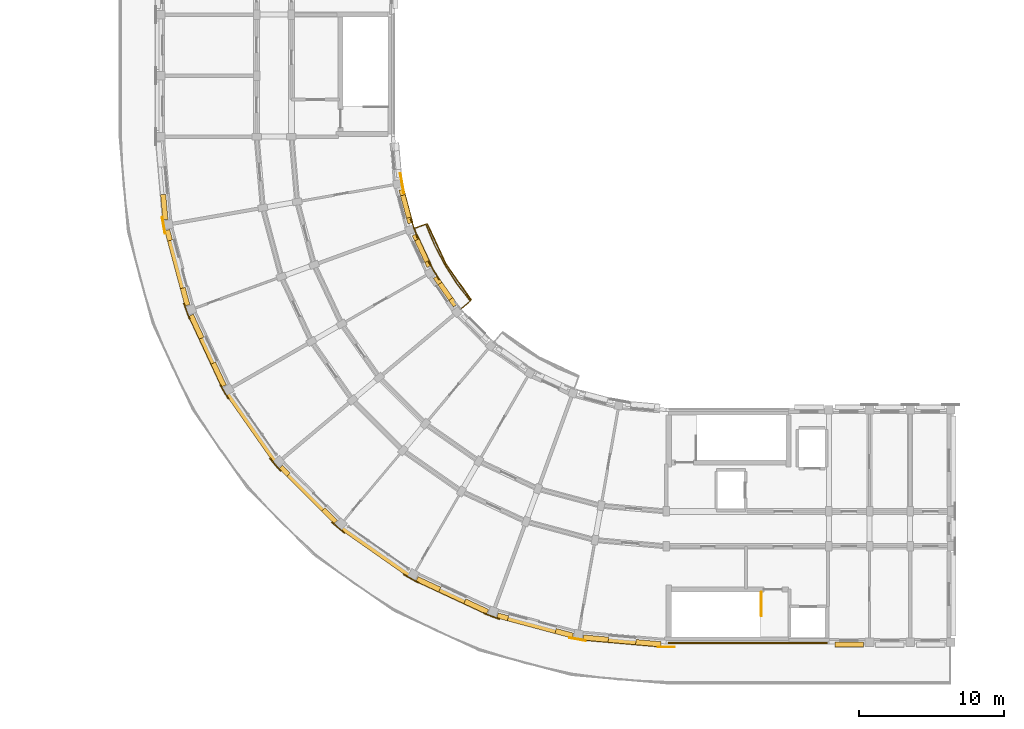
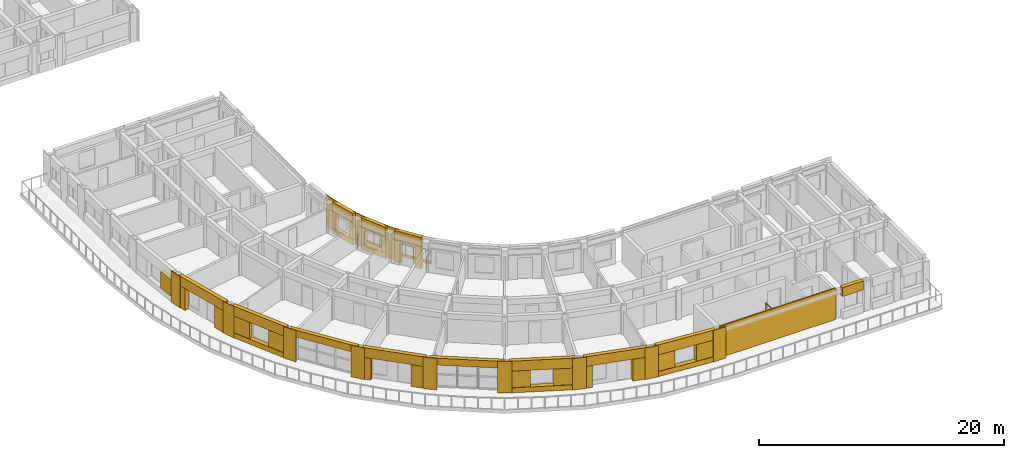
# One storey, part 36 of 53: 50 coverings, 2 railings.
"""IFC4 building model written with IfcOpenShell, lengths in metres."""

from ifc_helpers import new_model, si_unit, direction, frame, origin, origin_2d, place, context, subcontext, project, spatial, polyline, circle, outline, extrude, material, layer, layer_set, type_object, element, save


model = new_model("IFC4")

# Units and contexts
model_context = context("Model", 3, precision=1e-05, world=origin(), true_north=direction((0.0, 1.0)))
body_context = subcontext(model_context, "Body", "Model", "MODEL_VIEW")
ifc_project = project(units=[si_unit("LENGTHUNIT", "METRE"), si_unit("AREAUNIT", "SQUARE_METRE"), si_unit("VOLUMEUNIT", "CUBIC_METRE"), si_unit("PLANEANGLEUNIT", "RADIAN"), si_unit("MASSUNIT", "GRAM", prefix="KILO")], contexts=[model_context])

# Site, building, storey
site_placement = place(None, origin())
site = spatial("IfcSite", under=ifc_project, at=site_placement, CompositionType="ELEMENT")
building_placement = place(site_placement, origin())
building = spatial("IfcBuilding", under=site, at=building_placement, Name="Kiranvali Square Residences", CompositionType="ELEMENT")
storey_placement = place(building_placement, frame((0.0, 0.0, 30.75)))
storey = spatial("IfcBuildingStorey", under=building, at=storey_placement, Name="L09", CompositionType="ELEMENT", Elevation=30.75)

# Coverings
ifc_material_1 = material(Name="Carved Porbandar limestone classical entablature and cornice", Category="masonry")
ifc_layer_1 = layer(ifc_material_1, 0.06201171875)
ifc_layer_set_1 = layer_set([ifc_layer_1], Name="Carved Porbandar limestone classical entablature and cornice")
covering_type_1 = type_object("IfcCoveringType", Name="COV-CLAD-GBAL", PredefinedType="CLADDING", material=ifc_layer_set_1)
covering_1_placement = place(storey_placement, frame((0.0, 0.0, -0.219970703125)))
element("IfcCovering", 1, at=covering_1_placement, inside=storey, type_object=covering_type_1, Name="Block C L09 garden balcony limestone fascia 2", PredefinedType="CLADDING", context=body_context, shape_type="SweptSolid", body=[
    extrude(outline(polyline([(34.8095703125, 36.964111328125), (33.061767578125, 39.4599609375), (31.774169921875, 42.221435546875), (31.710205078125, 42.1982421875), (33.0029296875, 39.426025390625), (34.757568359375, 36.92041015625), (34.8095703125, 36.964111328125)])), origin(), (0.0, 0.0, 1.0), 0.27001953125),
])
ifc_material_2 = material(Name="Honed Porbandar limestone ashlar facade cladding", Category="masonry")
ifc_layer_2 = layer(ifc_material_2, 0.3798828125)
ifc_layer_set_2 = layer_set([ifc_layer_2], Name="Honed Porbandar limestone ashlar facade cladding")
covering_type_2 = type_object("IfcCoveringType", Name="COV-CLAD-JAMB", PredefinedType="CLADDING", material=ifc_layer_set_2)
covering_2_placement = place(storey_placement, frame((0.0, 0.0, 0.501953125)))
element("IfcCovering", 2, at=covering_2_placement, inside=storey, type_object=covering_type_2, Name="L09 deep limestone window jamb reveal C-L09-CRV-00.L", PredefinedType="CLADDING", context=body_context, shape_type="SweptSolid", body=[
    extrude(outline(polyline([(47.851318359375, 13.429931640625), (46.124755859375, 13.5810546875), (46.093505859375, 13.222900390625), (47.820068359375, 13.07177734375), (47.851318359375, 13.429931640625)])), origin(), (0.0, 0.0, 1.0), 1.650146484375),
])
covering_3_placement = place(storey_placement, frame((0.0, 0.0, 0.501953125)))
element("IfcCovering", 3, at=covering_3_placement, inside=storey, type_object=covering_type_2, Name="L09 deep limestone window jamb reveal C-L09-CRV-00.R", PredefinedType="CLADDING", context=body_context, shape_type="SweptSolid", body=[
    extrude(outline(polyline([(44.232177734375, 13.74658203125), (42.505615234375, 13.897705078125), (42.474365234375, 13.53955078125), (44.20068359375, 13.388427734375), (44.232177734375, 13.74658203125)])), origin(), (0.0, 0.0, 1.0), 1.650146484375),
])
covering_4_placement = place(storey_placement, origin())
element("IfcCovering", 4, at=covering_4_placement, inside=storey, type_object=covering_type_2, Name="L09 deep limestone window jamb reveal C-L09-CRV-01.L", PredefinedType="CLADDING", context=body_context, shape_type="SweptSolid", body=[
    extrude(outline(polyline([(41.81884765625, 14.018798828125), (40.632568359375, 14.336669921875), (40.53955078125, 13.989501953125), (41.725830078125, 13.671630859375), (41.81884765625, 14.018798828125)])), origin(), (0.0, 0.0, 1.0), 2.179931640625),
])
covering_5_placement = place(storey_placement, origin())
element("IfcCovering", 5, at=covering_5_placement, inside=storey, type_object=covering_type_2, Name="L09 deep limestone window jamb reveal C-L09-CRV-01.R", PredefinedType="CLADDING", context=body_context, shape_type="SweptSolid", body=[
    extrude(outline(polyline([(37.35546875, 15.21484375), (36.6357421875, 15.40771484375), (36.54248046875, 15.060302734375), (37.262451171875, 14.867431640625), (37.35546875, 15.21484375)])), origin(), (0.0, 0.0, 1.0), 2.179931640625),
])
covering_6_placement = place(storey_placement, frame((0.0, 0.0, 0.501953125)))
element("IfcCovering", 6, at=covering_6_placement, inside=storey, type_object=covering_type_2, Name="L09 deep limestone window jamb reveal C-L09-CRV-02.L", PredefinedType="CLADDING", context=body_context, shape_type="SweptSolid", body=[
    extrude(outline(polyline([(35.980224609375, 15.646240234375), (34.40966796875, 16.378662109375), (34.2578125, 16.052734375), (35.828369140625, 15.3203125), (35.980224609375, 15.646240234375)])), origin(), (0.0, 0.0, 1.0), 1.650146484375),
])
covering_7_placement = place(storey_placement, frame((0.0, 0.0, 0.501953125)))
element("IfcCovering", 7, at=covering_7_placement, inside=storey, type_object=covering_type_2, Name="L09 deep limestone window jamb reveal C-L09-CRV-02.R", PredefinedType="CLADDING", context=body_context, shape_type="SweptSolid", body=[
    extrude(outline(polyline([(32.687744140625, 17.181640625), (31.116943359375, 17.9140625), (30.965087890625, 17.588134765625), (32.53564453125, 16.855712890625), (32.687744140625, 17.181640625)])), origin(), (0.0, 0.0, 1.0), 1.650146484375),
])
covering_8_placement = place(storey_placement, origin())
element("IfcCovering", 8, at=covering_8_placement, inside=storey, type_object=covering_type_2, Name="L09 deep limestone window jamb reveal C-L09-CRV-04.L", PredefinedType="CLADDING", context=body_context, shape_type="SweptSolid", body=[
    extrude(outline(polyline([(25.583251953125, 21.788818359375), (24.71484375, 22.6572265625), (24.46044921875, 22.403076171875), (25.328857421875, 21.53466796875), (25.583251953125, 21.788818359375)])), origin(), (0.0, 0.0, 1.0), 2.179931640625),
])
covering_9_placement = place(storey_placement, origin())
element("IfcCovering", 9, at=covering_9_placement, inside=storey, type_object=covering_type_2, Name="L09 deep limestone window jamb reveal C-L09-CRV-04.R", PredefinedType="CLADDING", context=body_context, shape_type="SweptSolid", body=[
    extrude(outline(polyline([(22.315673828125, 25.05615234375), (21.788818359375, 25.583251953125), (21.53466796875, 25.328857421875), (22.0615234375, 24.802001953125), (22.315673828125, 25.05615234375)])), origin(), (0.0, 0.0, 1.0), 2.179931640625),
])
covering_10_placement = place(storey_placement, frame((0.0, 0.0, 0.501953125)))
element("IfcCovering", 10, at=covering_10_placement, inside=storey, type_object=covering_type_2, Name="L09 deep limestone window jamb reveal C-L09-CRV-06.L", PredefinedType="CLADDING", context=body_context, shape_type="SweptSolid", body=[
    extrude(outline(polyline([(17.9140625, 31.116943359375), (17.181640625, 32.687744140625), (16.855712890625, 32.53564453125), (17.588134765625, 30.965087890625), (17.9140625, 31.116943359375)])), origin(), (0.0, 0.0, 1.0), 1.650146484375),
])
covering_11_placement = place(storey_placement, frame((0.0, 0.0, 0.501953125)))
element("IfcCovering", 11, at=covering_11_placement, inside=storey, type_object=covering_type_2, Name="L09 deep limestone window jamb reveal C-L09-CRV-06.R", PredefinedType="CLADDING", context=body_context, shape_type="SweptSolid", body=[
    extrude(outline(polyline([(16.378662109375, 34.40966796875), (15.646240234375, 35.980224609375), (15.3203125, 35.828369140625), (16.052734375, 34.2578125), (16.378662109375, 34.40966796875)])), origin(), (0.0, 0.0, 1.0), 1.650146484375),
])
covering_12_placement = place(storey_placement, origin())
element("IfcCovering", 12, at=covering_12_placement, inside=storey, type_object=covering_type_2, Name="L09 deep limestone window jamb reveal C-L09-CRV-07.L", PredefinedType="CLADDING", context=body_context, shape_type="SweptSolid", body=[
    extrude(outline(polyline([(15.40771484375, 36.6357421875), (15.08984375, 37.822021484375), (14.742431640625, 37.728759765625), (15.060302734375, 36.54248046875), (15.40771484375, 36.6357421875)])), origin(), (0.0, 0.0, 1.0), 2.179931640625),
])
covering_13_placement = place(storey_placement, origin())
element("IfcCovering", 13, at=covering_13_placement, inside=storey, type_object=covering_type_2, Name="L09 deep limestone window jamb reveal C-L09-CRV-07.R", PredefinedType="CLADDING", context=body_context, shape_type="SweptSolid", body=[
    extrude(outline(polyline([(14.211669921875, 41.09912109375), (14.018798828125, 41.81884765625), (13.671630859375, 41.725830078125), (13.864501953125, 41.006103515625), (14.211669921875, 41.09912109375)])), origin(), (0.0, 0.0, 1.0), 2.179931640625),
])
covering_14_placement = place(storey_placement, frame((0.0, 0.0, 0.501953125)))
element("IfcCovering", 14, at=covering_14_placement, inside=storey, type_object=covering_type_2, Name="L09 deep limestone window jamb reveal C-L09-CRV-08.L", PredefinedType="CLADDING", context=body_context, shape_type="SweptSolid", body=[
    extrude(outline(polyline([(13.897705078125, 42.505615234375), (13.74658203125, 44.232177734375), (13.388427734375, 44.20068359375), (13.53955078125, 42.474365234375), (13.897705078125, 42.505615234375)])), origin(), (0.0, 0.0, 1.0), 1.650146484375),
])
covering_15_placement = place(storey_placement, origin())
element("IfcCovering", 15, at=covering_15_placement, inside=storey, type_object=covering_type_2, Name="L09 deep limestone window jamb reveal C-L09-GDN-05.L", PredefinedType="CLADDING", context=body_context, shape_type="SweptSolid", body=[
    extrude(outline(polyline([(33.824462890625, 36.671142578125), (33.509765625, 37.120361328125), (33.231689453125, 36.925537109375), (33.54638671875, 36.476318359375), (33.824462890625, 36.671142578125)])), origin(), (0.0, 0.0, 1.0), 2.179931640625),
])
covering_16_placement = place(storey_placement, origin())
element("IfcCovering", 16, at=covering_16_placement, inside=storey, type_object=covering_type_2, Name="L09 deep limestone window jamb reveal C-L09-GDN-05.R", PredefinedType="CLADDING", context=body_context, shape_type="SweptSolid", body=[
    extrude(outline(polyline([(32.76416015625, 38.185302734375), (32.44970703125, 38.634521484375), (32.171630859375, 38.43994140625), (32.486083984375, 37.990478515625), (32.76416015625, 38.185302734375)])), origin(), (0.0, 0.0, 1.0), 2.179931640625),
])
covering_17_placement = place(storey_placement, frame((0.0, 0.0, 0.60205078125)))
element("IfcCovering", 17, at=covering_17_placement, inside=storey, type_object=covering_type_2, Name="L09 deep limestone window jamb reveal C-L09-GDN-06.L", PredefinedType="CLADDING", context=body_context, shape_type="SweptSolid", body=[
    extrude(outline(polyline([(32.041015625, 39.342529296875), (31.883056640625, 39.680908203125), (31.575439453125, 39.53759765625), (31.733154296875, 39.198974609375), (32.041015625, 39.342529296875)])), origin(), (0.0, 0.0, 1.0), 1.599853515625),
])
covering_18_placement = place(storey_placement, frame((0.0, 0.0, 0.60205078125)))
element("IfcCovering", 18, at=covering_18_placement, inside=storey, type_object=covering_type_2, Name="L09 deep limestone window jamb reveal C-L09-GDN-06.R", PredefinedType="CLADDING", context=body_context, shape_type="SweptSolid", body=[
    extrude(outline(polyline([(31.185791015625, 41.176513671875), (31.02783203125, 41.514892578125), (30.72021484375, 41.37158203125), (30.8779296875, 41.032958984375), (31.185791015625, 41.176513671875)])), origin(), (0.0, 0.0, 1.0), 1.599853515625),
])
covering_19_placement = place(storey_placement, frame((0.0, 0.0, 0.552001953125)))
element("IfcCovering", 19, at=covering_19_placement, inside=storey, type_object=covering_type_2, Name="L09 deep limestone window jamb reveal C-L09-GDN-07.L", PredefinedType="CLADDING", context=body_context, shape_type="SweptSolid", body=[
    extrude(outline(polyline([(30.748291015625, 42.282958984375), (30.645263671875, 42.66796875), (30.317138671875, 42.580078125), (30.42041015625, 42.195068359375), (30.748291015625, 42.282958984375)])), origin(), (0.0, 0.0, 1.0), 1.64990234375),
])
covering_20_placement = place(storey_placement, frame((0.0, 0.0, 0.552001953125)))
element("IfcCovering", 20, at=covering_20_placement, inside=storey, type_object=covering_type_2, Name="L09 deep limestone window jamb reveal C-L09-GDN-07.R", PredefinedType="CLADDING", context=body_context, shape_type="SweptSolid", body=[
    extrude(outline(polyline([(30.23095703125, 44.21337890625), (30.1279296875, 44.598388671875), (29.800048828125, 44.510498046875), (29.903076171875, 44.12548828125), (30.23095703125, 44.21337890625)])), origin(), (0.0, 0.0, 1.0), 1.64990234375),
])
ifc_layer_3 = layer(ifc_material_2, 0.06494140625)
ifc_layer_set_3 = layer_set([ifc_layer_3], Name="Honed Porbandar limestone ashlar facade cladding")
covering_type_3 = type_object("IfcCoveringType", Name="COV-CLAD-PIER", PredefinedType="CLADDING", material=ifc_layer_set_3)
covering_21_placement = place(storey_placement, frame((0.0, 0.0, 0.0048828125)))
element("IfcCovering", 21, at=covering_21_placement, inside=storey, type_object=covering_type_3, Name="L09 Classical limestone corner pilaster CLAD-PR-C-L09-A00", PredefinedType="CLADDING", context=body_context, shape_type="SweptSolid", body=[
    extrude(outline(polyline([(47.6201171875, 13.031982421875), (48.780029296875, 13.031982421875), (48.780029296875, 13.099609375), (47.6201171875, 13.099609375), (47.6201171875, 13.031982421875)])), origin(), (0.0, 0.0, 1.0), 3.14013671875),
])
covering_22_placement = place(storey_placement, frame((0.0, 0.0, 0.0048828125)))
element("IfcCovering", 22, at=covering_22_placement, inside=storey, type_object=covering_type_3, Name="L09 Classical limestone corner pilaster CLAD-PR-C-L09-A01", PredefinedType="CLADDING", context=body_context, shape_type="SweptSolid", body=[
    extrude(outline(polyline([(41.52197265625, 13.6669921875), (42.664306640625, 13.465576171875), (42.676025390625, 13.531982421875), (41.53369140625, 13.7333984375), (41.52197265625, 13.6669921875)])), origin(), (0.0, 0.0, 1.0), 3.14013671875),
])
covering_23_placement = place(storey_placement, frame((0.0, 0.0, 0.0048828125)))
element("IfcCovering", 23, at=covering_23_placement, inside=storey, type_object=covering_type_3, Name="L09 Classical limestone corner pilaster CLAD-PR-C-L09-A02", PredefinedType="CLADDING", context=body_context, shape_type="SweptSolid", body=[
    extrude(outline(polyline([(35.626708984375, 15.351318359375), (36.716796875, 14.95458984375), (36.739990234375, 15.01806640625), (35.64990234375, 15.414794921875), (35.626708984375, 15.351318359375)])), origin(), (0.0, 0.0, 1.0), 3.14013671875),
])
covering_24_placement = place(storey_placement, frame((0.0, 0.0, 0.0048828125)))
element("IfcCovering", 24, at=covering_24_placement, inside=storey, type_object=covering_type_3, Name="L09 Classical limestone corner pilaster CLAD-PR-C-L09-A03", PredefinedType="CLADDING", context=body_context, shape_type="SweptSolid", body=[
    extrude(outline(polyline([(30.11376953125, 18.03369140625), (31.118408203125, 17.45361328125), (31.152099609375, 17.511962890625), (30.1474609375, 18.092041015625), (30.11376953125, 18.03369140625)])), origin(), (0.0, 0.0, 1.0), 3.14013671875),
])
covering_25_placement = place(storey_placement, frame((0.0, 0.0, 0.0048828125)))
element("IfcCovering", 25, at=covering_25_placement, inside=storey, type_object=covering_type_3, Name="L09 Classical limestone corner pilaster CLAD-PR-C-L09-A04", PredefinedType="CLADDING", context=body_context, shape_type="SweptSolid", body=[
    extrude(outline(polyline([(25.150146484375, 21.632568359375), (26.038818359375, 20.886962890625), (26.08203125, 20.938720703125), (25.193603515625, 21.684326171875), (25.150146484375, 21.632568359375)])), origin(), (0.0, 0.0, 1.0), 3.14013671875),
])
covering_26_placement = place(storey_placement, frame((0.0, 0.0, 0.0048828125)))
element("IfcCovering", 26, at=covering_26_placement, inside=storey, type_object=covering_type_3, Name="L09 Classical limestone corner pilaster CLAD-PR-C-L09-A05", PredefinedType="CLADDING", context=body_context, shape_type="SweptSolid", body=[
    extrude(outline(polyline([(20.886962890625, 26.038818359375), (21.632568359375, 25.150146484375), (21.684326171875, 25.193603515625), (20.938720703125, 26.08203125), (20.886962890625, 26.038818359375)])), origin(), (0.0, 0.0, 1.0), 3.14013671875),
])
covering_27_placement = place(storey_placement, frame((0.0, 0.0, 0.0048828125)))
element("IfcCovering", 27, at=covering_27_placement, inside=storey, type_object=covering_type_3, Name="L09 Classical limestone corner pilaster CLAD-PR-C-L09-A06", PredefinedType="CLADDING", context=body_context, shape_type="SweptSolid", body=[
    extrude(outline(polyline([(17.45361328125, 31.118408203125), (18.03369140625, 30.11376953125), (18.092041015625, 30.1474609375), (17.511962890625, 31.152099609375), (17.45361328125, 31.118408203125)])), origin(), (0.0, 0.0, 1.0), 3.14013671875),
])
covering_28_placement = place(storey_placement, frame((0.0, 0.0, 0.0048828125)))
element("IfcCovering", 28, at=covering_28_placement, inside=storey, type_object=covering_type_3, Name="L09 Classical limestone corner pilaster CLAD-PR-C-L09-A07", PredefinedType="CLADDING", context=body_context, shape_type="SweptSolid", body=[
    extrude(outline(polyline([(14.95458984375, 36.716796875), (15.351318359375, 35.626708984375), (15.414794921875, 35.64990234375), (15.01806640625, 36.739990234375), (14.95458984375, 36.716796875)])), origin(), (0.0, 0.0, 1.0), 3.14013671875),
])
covering_29_placement = place(storey_placement, frame((0.0, 0.0, 0.0048828125)))
element("IfcCovering", 29, at=covering_29_placement, inside=storey, type_object=covering_type_3, Name="L09 Classical limestone corner pilaster CLAD-PR-C-L09-A08", PredefinedType="CLADDING", context=body_context, shape_type="SweptSolid", body=[
    extrude(outline(polyline([(13.465576171875, 42.664306640625), (13.6669921875, 41.52197265625), (13.7333984375, 41.53369140625), (13.531982421875, 42.676025390625), (13.465576171875, 42.664306640625)])), origin(), (0.0, 0.0, 1.0), 3.14013671875),
])
covering_30_placement = place(storey_placement, frame((0.0, 0.0, 0.0048828125)))
element("IfcCovering", 30, at=covering_30_placement, inside=storey, type_object=covering_type_3, Name="Block C L09 upper core limestone ashlar cladding", PredefinedType="CLADDING", context=body_context, shape_type="SweptSolid", body=[
    extrude(outline(polyline([(48.35009765625, 13.300048828125), (59.300048828125, 13.300048828125), (59.300048828125, 13.39794921875), (48.35009765625, 13.39794921875), (48.35009765625, 13.300048828125)])), origin(), (0.0, 0.0, 1.0), 3.14013671875),
])
ifc_layer_4 = layer(ifc_material_2, 0.050048828125)
ifc_layer_set_4 = layer_set([ifc_layer_4], Name="Honed Porbandar limestone ashlar facade cladding")
covering_type_4 = type_object("IfcCoveringType", Name="COV-CLAD-PIER-IN", PredefinedType="CLADDING", material=ifc_layer_set_4)
covering_31_placement = place(storey_placement, frame((0.0, 0.0, 0.0048828125)))
element("IfcCovering", 31, at=covering_31_placement, inside=storey, type_object=covering_type_4, Name="L09 Classical garden courtyard pilaster CLAD-PRIN-C-L09-A06", PredefinedType="CLADDING", context=body_context, shape_type="SweptSolid", body=[
    extrude(outline(polyline([(32.58740234375, 38.377685546875), (31.887451171875, 39.59033203125), (31.828857421875, 39.556396484375), (32.529052734375, 38.343994140625), (32.58740234375, 38.377685546875)])), origin(), (0.0, 0.0, 1.0), 3.14013671875),
])
covering_32_placement = place(storey_placement, frame((0.0, 0.0, 0.0048828125)))
element("IfcCovering", 32, at=covering_32_placement, inside=storey, type_object=covering_type_4, Name="L09 Classical garden courtyard pilaster CLAD-PRIN-C-L09-A07", PredefinedType="CLADDING", context=body_context, shape_type="SweptSolid", body=[
    extrude(outline(polyline([(31.118896484375, 41.238037109375), (30.64013671875, 42.5537109375), (30.57666015625, 42.530517578125), (31.0556640625, 41.215087890625), (31.118896484375, 41.238037109375)])), origin(), (0.0, 0.0, 1.0), 3.14013671875),
])
covering_33_placement = place(storey_placement, frame((0.0, 0.0, 0.0048828125)))
element("IfcCovering", 33, at=covering_33_placement, inside=storey, type_object=covering_type_4, Name="L09 Classical garden courtyard pilaster CLAD-PRIN-C-L09-A08", PredefinedType="CLADDING", context=body_context, shape_type="SweptSolid", body=[
    extrude(outline(polyline([(30.169677734375, 44.31005859375), (29.926513671875, 45.688720703125), (29.860107421875, 45.677001953125), (30.10302734375, 44.29833984375), (30.169677734375, 44.31005859375)])), origin(), (0.0, 0.0, 1.0), 3.14013671875),
])
ifc_layer_5 = layer(ifc_material_2, 0.360107421875)
ifc_layer_set_5 = layer_set([ifc_layer_5], Name="Honed Porbandar limestone ashlar facade cladding")
covering_type_5 = type_object("IfcCoveringType", Name="COV-CLAD-WALL", PredefinedType="CLADDING", material=ifc_layer_set_5)
covering_34_placement = place(storey_placement, frame((0.0, 0.0, 2.152099609375)))
element("IfcCovering", 34, at=covering_34_placement, inside=storey, type_object=covering_type_5, Name="L09 light limestone spandrel lintel C-L09-CRV-00", PredefinedType="CLADDING", context=body_context, shape_type="SweptSolid", body=[
    extrude(outline(polyline([(47.851318359375, 13.429931640625), (42.505615234375, 13.897705078125), (42.474365234375, 13.53955078125), (47.820068359375, 13.07177734375), (47.851318359375, 13.429931640625)])), origin(), (0.0, 0.0, 1.0), 0.992919921875),
])
covering_35_placement = place(storey_placement, frame((0.0, 0.0, 0.0048828125)))
element("IfcCovering", 35, at=covering_35_placement, inside=storey, type_object=covering_type_5, Name="L09 limestone window sill apron C-L09-CRV-00", PredefinedType="CLADDING", context=body_context, shape_type="SweptSolid", body=[
    extrude(outline(polyline([(47.851318359375, 13.429931640625), (42.505615234375, 13.897705078125), (42.4716796875, 13.509765625), (47.8173828125, 13.0419921875), (47.851318359375, 13.429931640625)])), origin(), (0.0, 0.0, 1.0), 0.4970703125),
])
covering_36_placement = place(storey_placement, frame((0.0, 0.0, 2.179931640625)))
element("IfcCovering", 36, at=covering_36_placement, inside=storey, type_object=covering_type_5, Name="L09 light limestone spandrel lintel C-L09-CRV-01", PredefinedType="CLADDING", context=body_context, shape_type="SweptSolid", body=[
    extrude(outline(polyline([(41.81884765625, 14.018798828125), (36.6357421875, 15.40771484375), (36.54248046875, 15.060302734375), (41.725830078125, 13.671630859375), (41.81884765625, 14.018798828125)])), origin(), (0.0, 0.0, 1.0), 0.965087890625),
])
covering_37_placement = place(storey_placement, frame((0.0, 0.0, 2.152099609375)))
element("IfcCovering", 37, at=covering_37_placement, inside=storey, type_object=covering_type_5, Name="L09 light limestone spandrel lintel C-L09-CRV-02", PredefinedType="CLADDING", context=body_context, shape_type="SweptSolid", body=[
    extrude(outline(polyline([(35.980224609375, 15.646240234375), (31.116943359375, 17.9140625), (30.965087890625, 17.588134765625), (35.828369140625, 15.3203125), (35.980224609375, 15.646240234375)])), origin(), (0.0, 0.0, 1.0), 0.992919921875),
])
covering_38_placement = place(storey_placement, frame((0.0, 0.0, 0.0048828125)))
element("IfcCovering", 38, at=covering_38_placement, inside=storey, type_object=covering_type_5, Name="L09 limestone window sill apron C-L09-CRV-02", PredefinedType="CLADDING", context=body_context, shape_type="SweptSolid", body=[
    extrude(outline(polyline([(35.980224609375, 15.646240234375), (31.116943359375, 17.9140625), (30.952392578125, 17.56103515625), (35.815673828125, 15.293212890625), (35.980224609375, 15.646240234375)])), origin(), (0.0, 0.0, 1.0), 0.4970703125),
])
covering_39_placement = place(storey_placement, frame((0.0, 0.0, 2.4599609375)))
element("IfcCovering", 39, at=covering_39_placement, inside=storey, type_object=covering_type_5, Name="Block C L09 limestone terrace header 4", PredefinedType="CLADDING", context=body_context, shape_type="SweptSolid", body=[
    extrude(outline(polyline([(30.798828125, 18.060791015625), (25.829833984375, 21.5400390625), (25.62451171875, 21.246826171875), (30.593505859375, 17.767333984375), (30.798828125, 18.060791015625)])), origin(), (0.0, 0.0, 1.0), 0.68505859375),
])
covering_40_placement = place(storey_placement, frame((0.0, 0.0, 2.179931640625)))
element("IfcCovering", 40, at=covering_40_placement, inside=storey, type_object=covering_type_5, Name="L09 light limestone spandrel lintel C-L09-CRV-04", PredefinedType="CLADDING", context=body_context, shape_type="SweptSolid", body=[
    extrude(outline(polyline([(25.583251953125, 21.788818359375), (21.788818359375, 25.583251953125), (21.53466796875, 25.328857421875), (25.328857421875, 21.53466796875), (25.583251953125, 21.788818359375)])), origin(), (0.0, 0.0, 1.0), 0.965087890625),
])
covering_41_placement = place(storey_placement, frame((0.0, 0.0, 2.4599609375)))
element("IfcCovering", 41, at=covering_41_placement, inside=storey, type_object=covering_type_5, Name="Block C L09 limestone terrace header 6", PredefinedType="CLADDING", context=body_context, shape_type="SweptSolid", body=[
    extrude(outline(polyline([(21.5400390625, 25.829833984375), (18.060791015625, 30.798828125), (17.767333984375, 30.593505859375), (21.246826171875, 25.62451171875), (21.5400390625, 25.829833984375)])), origin(), (0.0, 0.0, 1.0), 0.68505859375),
])
covering_42_placement = place(storey_placement, frame((0.0, 0.0, 2.152099609375)))
element("IfcCovering", 42, at=covering_42_placement, inside=storey, type_object=covering_type_5, Name="L09 light limestone spandrel lintel C-L09-CRV-06", PredefinedType="CLADDING", context=body_context, shape_type="SweptSolid", body=[
    extrude(outline(polyline([(17.9140625, 31.116943359375), (15.646240234375, 35.980224609375), (15.3203125, 35.828369140625), (17.588134765625, 30.965087890625), (17.9140625, 31.116943359375)])), origin(), (0.0, 0.0, 1.0), 0.992919921875),
])
covering_43_placement = place(storey_placement, frame((0.0, 0.0, 0.0048828125)))
element("IfcCovering", 43, at=covering_43_placement, inside=storey, type_object=covering_type_5, Name="L09 limestone window sill apron C-L09-CRV-06", PredefinedType="CLADDING", context=body_context, shape_type="SweptSolid", body=[
    extrude(outline(polyline([(17.9140625, 31.116943359375), (15.646240234375, 35.980224609375), (15.293212890625, 35.815673828125), (17.56103515625, 30.952392578125), (17.9140625, 31.116943359375)])), origin(), (0.0, 0.0, 1.0), 0.4970703125),
])
covering_44_placement = place(storey_placement, frame((0.0, 0.0, 2.179931640625)))
element("IfcCovering", 44, at=covering_44_placement, inside=storey, type_object=covering_type_5, Name="L09 light limestone spandrel lintel C-L09-CRV-07", PredefinedType="CLADDING", context=body_context, shape_type="SweptSolid", body=[
    extrude(outline(polyline([(15.40771484375, 36.6357421875), (14.018798828125, 41.81884765625), (13.671630859375, 41.725830078125), (15.060302734375, 36.54248046875), (15.40771484375, 36.6357421875)])), origin(), (0.0, 0.0, 1.0), 0.965087890625),
])
covering_45_placement = place(storey_placement, frame((0.0, 0.0, 2.179931640625)))
element("IfcCovering", 45, at=covering_45_placement, inside=storey, type_object=covering_type_5, Name="L09 light limestone spandrel lintel C-L09-GDN-05", PredefinedType="CLADDING", context=body_context, shape_type="SweptSolid", body=[
    extrude(outline(polyline([(33.824462890625, 36.671142578125), (32.44970703125, 38.634521484375), (32.171630859375, 38.43994140625), (33.54638671875, 36.476318359375), (33.824462890625, 36.671142578125)])), origin(), (0.0, 0.0, 1.0), 0.965087890625),
])
covering_46_placement = place(storey_placement, frame((0.0, 0.0, 2.201904296875)))
element("IfcCovering", 46, at=covering_46_placement, inside=storey, type_object=covering_type_5, Name="L09 light limestone spandrel lintel C-L09-GDN-06", PredefinedType="CLADDING", context=body_context, shape_type="SweptSolid", body=[
    extrude(outline(polyline([(32.041015625, 39.342529296875), (31.02783203125, 41.514892578125), (30.72021484375, 41.37158203125), (31.733154296875, 39.198974609375), (32.041015625, 39.342529296875)])), origin(), (0.0, 0.0, 1.0), 0.943115234375),
])
covering_47_placement = place(storey_placement, frame((0.0, 0.0, 2.201904296875)))
element("IfcCovering", 47, at=covering_47_placement, inside=storey, type_object=covering_type_5, Name="L09 light limestone spandrel lintel C-L09-GDN-07", PredefinedType="CLADDING", context=body_context, shape_type="SweptSolid", body=[
    extrude(outline(polyline([(30.748291015625, 42.282958984375), (30.1279296875, 44.598388671875), (29.800048828125, 44.510498046875), (30.42041015625, 42.195068359375), (30.748291015625, 42.282958984375)])), origin(), (0.0, 0.0, 1.0), 0.943115234375),
])
covering_48_placement = place(storey_placement, frame((0.0, 0.0, 2.251953125)))
element("IfcCovering", 48, at=covering_48_placement, inside=storey, type_object=covering_type_5, Name="L09 light limestone spandrel lintel C-L09-A1TO-0", PredefinedType="CLADDING", context=body_context, shape_type="SweptSolid", body=[
    extrude(outline(polyline([(59.820068359375, 13.050048828125), (61.780029296875, 13.050048828125), (61.780029296875, 13.3994140625), (59.820068359375, 13.3994140625), (59.820068359375, 13.050048828125)])), origin(), (0.0, 0.0, 1.0), 0.89306640625),
])
ifc_layer_6 = layer(ifc_material_2, 0.2900390625)
ifc_layer_set_6 = layer_set([ifc_layer_6], Name="Honed Porbandar limestone ashlar facade cladding")
covering_type_6 = type_object("IfcCoveringType", Name="COV-CLAD-WALL-IN", PredefinedType="CLADDING", material=ifc_layer_set_6)
covering_49_placement = place(storey_placement, frame((0.0, 0.0, 0.0048828125)))
element("IfcCovering", 49, at=covering_49_placement, inside=storey, type_object=covering_type_6, Name="L09 limestone window sill apron C-L09-GDN-06", PredefinedType="CLADDING", context=body_context, shape_type="SweptSolid", body=[
    extrude(outline(polyline([(32.068115234375, 39.355224609375), (31.05517578125, 41.527587890625), (30.72021484375, 41.37158203125), (31.733154296875, 39.198974609375), (32.068115234375, 39.355224609375)])), origin(), (0.0, 0.0, 1.0), 0.59716796875),
])
covering_50_placement = place(storey_placement, frame((0.0, 0.0, 0.0048828125)))
element("IfcCovering", 50, at=covering_50_placement, inside=storey, type_object=covering_type_6, Name="L09 limestone window sill apron C-L09-GDN-07", PredefinedType="CLADDING", context=body_context, shape_type="SweptSolid", body=[
    extrude(outline(polyline([(30.77734375, 42.290771484375), (30.156982421875, 44.606201171875), (29.800048828125, 44.510498046875), (30.42041015625, 42.195068359375), (30.77734375, 42.290771484375)])), origin(), (0.0, 0.0, 1.0), 0.547119140625),
])

# Railings
ifc_material_3 = material(Name="Powder-coated architectural bronze balustrade", Category="steel")
railing_type_1 = type_object("IfcRailingType", Name="RL-BAL-GOLD-1200", PredefinedType="BALUSTRADE", material=ifc_material_3)
railing_1_placement = place(storey_placement, frame((33.8291015625, 36.141357421875, 0.0)))
element("IfcRailing", 51, at=railing_1_placement, inside=storey, type_object=railing_type_1, Name="Block C L09 garden balcony gold balustrade 2", PredefinedType="BALUSTRADE", context=body_context, shape_type="SweptSolid", body=[
    extrude(circle(Radius=0.02392578125, at=origin_2d()), frame((0.0, 0.0, 1.17578125), z_axis=(0.765989188314, 0.642853454051, 0.0), x_axis=(-0.642853454051, 0.765989188314, 0.0)), (0.0, 0.0, 1.0), 1.14990234375),
    extrude(circle(Radius=0.02392578125, at=origin_2d()), frame((0.880859375, 0.7392578125, 1.17578125), z_axis=(-0.608811807471, 0.793314680996, 0.0), x_axis=(-0.793314680996, -0.608811807471, 0.0)), (0.0, 0.0, 1.0), 1.536376953125),
    extrude(circle(Radius=0.02392578125, at=origin_2d()), frame((-0.054443359375, 1.9580078125, 1.17578125), z_axis=(-0.537307309343, 0.843386539688, 0.0), x_axis=(-0.843386539688, -0.537307309343, 0.0)), (0.0, 0.0, 1.0), 1.5361328125),
    extrude(circle(Radius=0.02392578125, at=origin_2d()), frame((-0.8798828125, 3.253662109375, 1.17578125), z_axis=(-0.461713009976, 0.887029366154, 0.0), x_axis=(-0.887029366154, -0.461713009976, 0.0)), (0.0, 0.0, 1.0), 1.5361328125),
    extrude(circle(Radius=0.02392578125, at=origin_2d()), frame((-1.589111328125, 4.6162109375, 1.17578125), z_axis=(-0.382651197843, 0.923892883829, 0.0), x_axis=(-0.923892883829, -0.382651197843, 0.0)), (0.0, 0.0, 1.0), 1.536376953125),
    extrude(circle(Radius=0.02392578125, at=origin_2d()), frame((-2.177001953125, 6.03564453125, 1.17578125), z_axis=(-0.939712828289, -0.341964618562, 0.0), x_axis=(0.341964618562, -0.939712828289, 0.0)), (0.0, 0.0, 1.0), 1.150146484375),
    extrude(circle(Radius=0.02099609375, at=origin_2d()), origin(), (0.0, 0.0, 1.0), 1.15185546875),
    extrude(circle(Radius=0.02099609375, at=origin_2d()), frame((0.880859375, 0.7392578125, 0.0)), (0.0, 0.0, 1.0), 1.15185546875),
    extrude(circle(Radius=0.02099609375, at=origin_2d()), frame((0.4130859375, 1.3486328125, 0.0)), (0.0, 0.0, 1.0), 1.15185546875),
    extrude(circle(Radius=0.02099609375, at=origin_2d()), frame((-0.054443359375, 1.9580078125, 0.0)), (0.0, 0.0, 1.0), 1.15185546875),
    extrude(circle(Radius=0.02099609375, at=origin_2d()), frame((-0.46728515625, 2.60595703125, 0.0)), (0.0, 0.0, 1.0), 1.15185546875),
    extrude(circle(Radius=0.02099609375, at=origin_2d()), frame((-0.8798828125, 3.253662109375, 0.0)), (0.0, 0.0, 1.0), 1.15185546875),
    extrude(circle(Radius=0.02099609375, at=origin_2d()), frame((-1.234375, 3.93505859375, 0.0)), (0.0, 0.0, 1.0), 1.15185546875),
    extrude(circle(Radius=0.02099609375, at=origin_2d()), frame((-1.589111328125, 4.6162109375, 0.0)), (0.0, 0.0, 1.0), 1.15185546875),
    extrude(circle(Radius=0.02099609375, at=origin_2d()), frame((-1.883056640625, 5.325927734375, 0.0)), (0.0, 0.0, 1.0), 1.15185546875),
    extrude(circle(Radius=0.02099609375, at=origin_2d()), frame((-2.177001953125, 6.03564453125, 0.0)), (0.0, 0.0, 1.0), 1.15185546875),
    extrude(circle(Radius=0.02099609375, at=origin_2d()), frame((-3.2578125, 5.642333984375, 0.0)), (0.0, 0.0, 1.0), 1.15185546875),
])
railing_type_2 = type_object("IfcRailingType", Name="RL-ST-GUARD-1200", PredefinedType="GUARDRAIL", material=ifc_material_3)
railing_2_placement = place(storey_placement, frame((54.75, 16.85009765625, 0.0)))
element("IfcRailing", 52, at=railing_2_placement, inside=storey, type_object=railing_type_2, Name="L09 ST-C1 top well guard 1", PredefinedType="GUARDRAIL", context=body_context, shape_type="SweptSolid", body=[
    extrude(circle(Radius=0.02392578125, at=origin_2d()), frame((0.0, 0.0, 1.1259765625), z_axis=(0.0, -1.0, 0.0), x_axis=(1.0, 0.0, 0.0)), (0.0, 0.0, 1.0), 1.650146484375),
    extrude(circle(Radius=0.02099609375, at=origin_2d()), origin(), (0.0, 0.0, 1.0), 1.101806640625),
    extrude(circle(Radius=0.02099609375, at=origin_2d()), frame((0.0, -0.8251953125, 0.0)), (0.0, 0.0, 1.0), 1.101806640625),
    extrude(circle(Radius=0.02099609375, at=origin_2d()), frame((0.0, -1.650146484375, 0.0)), (0.0, 0.0, 1.0), 1.101806640625),
])

save(model, "model.ifc")
